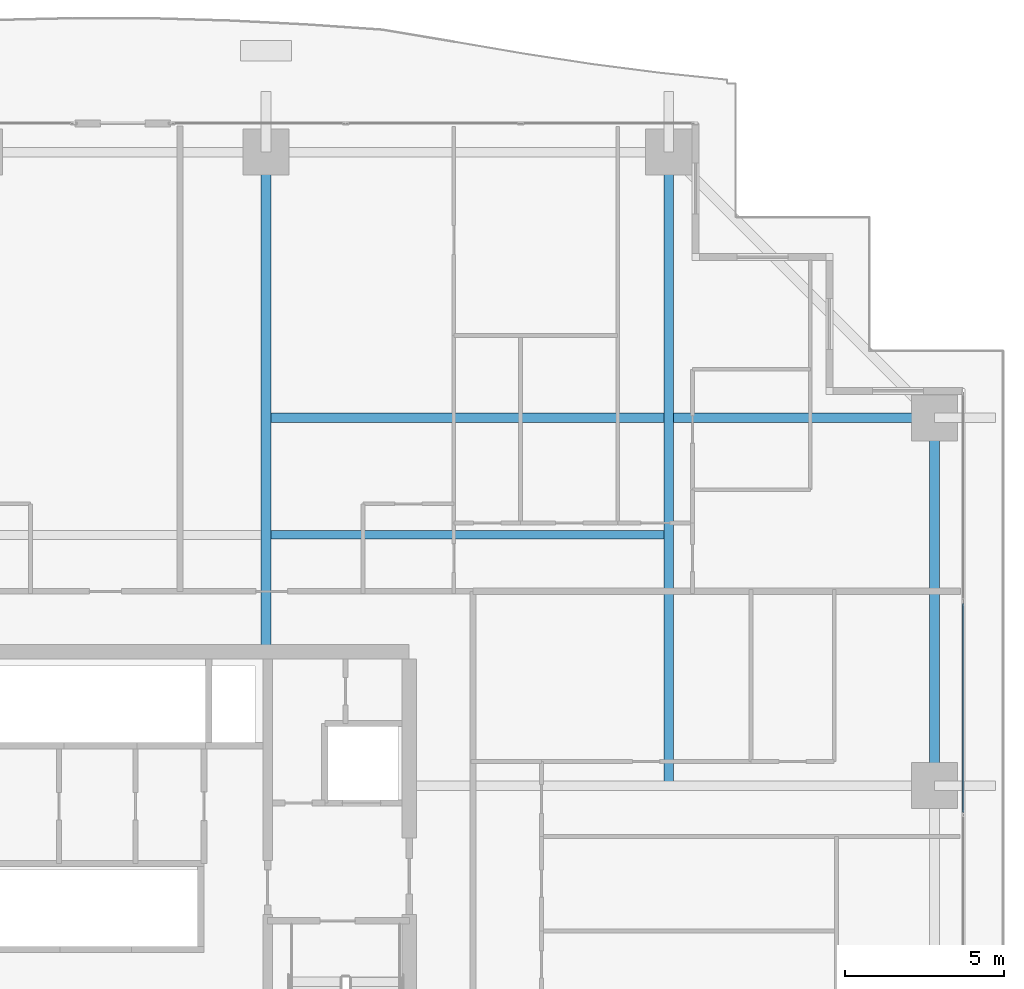
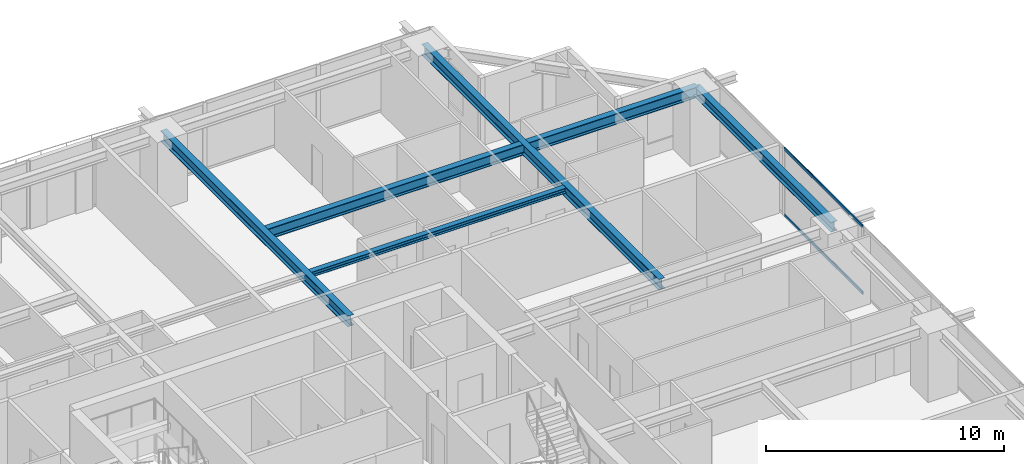
# One storey, part 19 of 36: 5 beams, 2 members, 1 element without a shape of its own.
"""IFC4 building model written with IfcOpenShell, lengths in metres."""

from ifc_helpers import new_model, si_unit, direction, frame, origin, origin_2d, place, context, subcontext, project, spatial, hollow_rectangle, i_section, extrude, source, transform, mapped, material, layer, layer_set, material_profile, profile_set, type_object, element, aggregate, save


model = new_model("IFC4")

# Units and contexts
model_context = context("Model", 3, precision=1e-05, world=origin(), true_north=direction((0.0, 1.0)))
body_context = subcontext(model_context, "Body", "Model", "MODEL_VIEW")
ifc_project = project(units=[si_unit("LENGTHUNIT", "METRE"), si_unit("AREAUNIT", "SQUARE_METRE"), si_unit("VOLUMEUNIT", "CUBIC_METRE"), si_unit("PLANEANGLEUNIT", "RADIAN"), si_unit("MASSUNIT", "GRAM", prefix="KILO")], contexts=[model_context])

# Site, building, storey
site_placement = place(None, origin())
site = spatial("IfcSite", under=ifc_project, at=site_placement, CompositionType="ELEMENT")
building_placement = place(site_placement, origin())
building = spatial("IfcBuilding", under=site, at=building_placement, Name="Serunith Strait Residences", CompositionType="ELEMENT")
storey_placement = place(building_placement, frame((0.0, 0.0, 41.699951171875)))
storey = spatial("IfcBuildingStorey", under=building, at=storey_placement, Name="L09", CompositionType="ELEMENT", Elevation=41.699951171875)

# Beams
ifc_material_1 = material(Name="Steel S355J2", Category="steel")
ifc_material_profile_1 = material_profile(ifc_material_1, i_section(OverallWidth=0.300048828125, OverallDepth=0.550048828125, WebThickness=0.014892578125, FlangeThickness=0.029052734375, FilletRadius=0.027099609375, at=origin_2d()), Name="HEB 550")
ifc_profile_set_1 = profile_set([ifc_material_profile_1], Name="Steel S355J2")
beam_type_1 = type_object("IfcBeamType", Name="BM-HEB550", PredefinedType="BEAM", material=ifc_profile_set_1)
shared_shape_1 = source(origin(), body_context, "Body", "SweptSolid", [
    extrude(i_section(OverallWidth=0.300048828125, OverallDepth=0.550048828125, WebThickness=0.014892578125, FlangeThickness=0.029052734375, FilletRadius=0.027099609375, at=origin_2d()), origin(), (0.0, 0.0, 1.0), 15.699951171875),
])
beam_1_placement = place(storey_placement, frame((36.89990234375, 33.60009765625, 3.212158203125), z_axis=(0.0, 1.0, 0.0), x_axis=(-1.0, 0.0, 0.0)))
element("IfcBeam", 1, at=beam_1_placement, inside=storey, type_object=beam_type_1, Name="L09 Primary Floor Girder TC-N3", PredefinedType="BEAM", context=body_context, shape_type="MappedRepresentation", body=[
    mapped(shared_shape_1, transform((0.0, 0.0, 0.0), scale=1.0)),
])
shared_shape_2 = source(origin(), body_context, "Body", "SweptSolid", [
    extrude(i_section(OverallWidth=0.300048828125, OverallDepth=0.550048828125, WebThickness=0.014892578125, FlangeThickness=0.029052734375, FilletRadius=0.027099609375, at=origin_2d()), origin(), (0.0, 0.0, 1.0), 19.900146484375),
])
beam_2_placement = place(storey_placement, frame((49.550048828125, 29.39990234375, 3.212158203125), z_axis=(0.0, 1.0, 0.0), x_axis=(-1.0, 0.0, 0.0)))
element("IfcBeam", 2, at=beam_2_placement, inside=storey, type_object=beam_type_1, Name="L09 Orthogonal Corner Girder TC-N4", PredefinedType="BEAM", context=body_context, shape_type="MappedRepresentation", body=[
    mapped(shared_shape_2, transform((0.0, 0.0, 0.0), scale=1.0)),
])
shared_shape_3 = source(origin(), body_context, "Body", "SweptSolid", [
    extrude(i_section(OverallWidth=0.300048828125, OverallDepth=0.550048828125, WebThickness=0.014892578125, FlangeThickness=0.029052734375, FilletRadius=0.027099609375, at=origin_2d()), origin(), (0.0, 0.0, 1.0), 21.0),
])
beam_3_placement = place(storey_placement, frame((36.89990234375, 40.949951171875, 3.212158203125), z_axis=(1.0, 0.0, 0.0), x_axis=(0.0, 1.0, 0.0)))
element("IfcBeam", 3, at=beam_3_placement, inside=storey, type_object=beam_type_1, Name="L09 Orthogonal Corner Girder TC-E4", PredefinedType="BEAM", context=body_context, shape_type="MappedRepresentation", body=[
    mapped(shared_shape_3, transform((0.0, 0.0, 0.0), scale=1.0)),
])
ifc_material_profile_2 = material_profile(ifc_material_1, i_section(OverallWidth=0.300048828125, OverallDepth=0.5, WebThickness=0.014404296875, FlangeThickness=0.028076171875, FilletRadius=0.027099609375, at=origin_2d()), Name="HEB 500")
ifc_profile_set_2 = profile_set([ifc_material_profile_2], Name="Steel S355J2")
beam_type_2 = type_object("IfcBeamType", Name="BM-HEB500", PredefinedType="BEAM", material=ifc_profile_set_2)
shared_shape_4 = source(origin(), body_context, "Body", "SweptSolid", [
    extrude(i_section(OverallWidth=0.300048828125, OverallDepth=0.5, WebThickness=0.014404296875, FlangeThickness=0.028076171875, FilletRadius=0.027099609375, at=origin_2d()), origin(), (0.0, 0.0, 1.0), 11.550048828125),
])
beam_4_placement = place(storey_placement, frame((57.89990234375, 29.39990234375, 3.237060546875), z_axis=(0.0, 1.0, 0.0), x_axis=(-1.0, 0.0, 0.0)))
element("IfcBeam", 4, at=beam_4_placement, inside=storey, type_object=beam_type_2, Name="L09 Perimeter Ring Beam 07", PredefinedType="BEAM", context=body_context, shape_type="MappedRepresentation", body=[
    mapped(shared_shape_4, transform((0.0, 0.0, 0.0), scale=1.0)),
])
ifc_material_profile_3 = material_profile(ifc_material_1, i_section(OverallWidth=0.260009765625, OverallDepth=0.260009765625, WebThickness=0.010009765625, FlangeThickness=0.017578125, FilletRadius=0.02392578125, at=origin_2d()), Name="HEB 260")
ifc_profile_set_3 = profile_set([ifc_material_profile_3], Name="Steel S355J2")
beam_type_3 = type_object("IfcBeamType", Name="BM-HEB260", PredefinedType="JOIST", material=ifc_profile_set_3)
shared_shape_5 = source(origin(), body_context, "Body", "SweptSolid", [
    extrude(i_section(OverallWidth=0.260009765625, OverallDepth=0.260009765625, WebThickness=0.010009765625, FlangeThickness=0.017578125, FilletRadius=0.02392578125, at=origin_2d()), origin(), (0.0, 0.0, 1.0), 12.349853515625),
])
beam_5_placement = place(storey_placement, frame((37.050048828125, 37.27490234375, 3.35693359375), z_axis=(1.0, 0.0, 0.0), x_axis=(0.0, 1.0, 0.0)))
element("IfcBeam", 5, at=beam_5_placement, inside=storey, type_object=beam_type_3, Name="L09 Composite Floor Joist 06", PredefinedType="JOIST", context=body_context, shape_type="MappedRepresentation", body=[
    mapped(shared_shape_5, transform((0.0, 0.0, 0.0), scale=1.0)),
])

# Curtain wall, members
ifc_material_2 = material(Name="Pale-Champagne Anodised Aluminium", Category="aluminium")
ifc_layer = layer(ifc_material_2, 0.199951171875, Name="Pale-Champagne Anodised Aluminium")
ifc_layer_set = layer_set([ifc_layer], Name="Pale-Champagne Anodised Aluminium")
curtain_wall_type = type_object("IfcCurtainWallType", Name="CW-SYS1", PredefinedType="NOTDEFINED", material=ifc_layer_set)
curtain_wall_placement = place(storey_placement, origin())
curtain_wall = element("IfcCurtainWall", 6, at=curtain_wall_placement, inside=storey, type_object=curtain_wall_type, Name="L09 E Unitised Fritted Curtain Wall", PredefinedType="NOTDEFINED")
ifc_material_profile_4 = material_profile(ifc_material_2, hollow_rectangle(XDim=0.06005859375, YDim=0.159912109375, WallThickness=0.00341796875, InnerFilletRadius=0.00537109375, OuterFilletRadius=0.0087890625, at=origin_2d()), Name="ALU 160x60x3.5")
ifc_profile_set_4 = profile_set([ifc_material_profile_4], Name="Pale-Champagne Anodised Aluminium")
member_type = type_object("IfcMemberType", Name="CW-SYS1-TRAN", PredefinedType="USERDEFINED", material=ifc_profile_set_4)
shared_shape_6 = source(origin(), body_context, "Body", "SweptSolid", [
    extrude(hollow_rectangle(XDim=0.06005859375, YDim=0.159912109375, WallThickness=0.00341796875, InnerFilletRadius=0.00537109375, OuterFilletRadius=0.0087890625, at=origin_2d()), origin(), (0.0, 0.0, 1.0), 6.570068359375),
])
member_1_placement = place(storey_placement, frame((58.800048828125, 28.554931640625, 0.030029296875), z_axis=(0.0, 1.0, 0.0), x_axis=(-1.0, 0.0, 0.0)))
member_1 = element("IfcMember", 7, at=member_1_placement, type_object=member_type, Name="CW-1 transom 4.1", ObjectType="TRANSOM", PredefinedType="USERDEFINED", context=body_context, shape_type="MappedRepresentation", body=[
    mapped(shared_shape_6, transform((0.0, 0.0, 0.0), scale=1.0)),
])
member_2_placement = place(storey_placement, frame((58.800048828125, 28.554931640625, 3.445068359375), z_axis=(0.0, 1.0, 0.0), x_axis=(-1.0, 0.0, 0.0)))
member_2 = element("IfcMember", 8, at=member_2_placement, type_object=member_type, Name="CW-1 transom 4.2", ObjectType="TRANSOM", PredefinedType="USERDEFINED", context=body_context, shape_type="MappedRepresentation", body=[
    mapped(shared_shape_6, transform((0.0, 0.0, 0.0), scale=1.0)),
])
aggregate(curtain_wall, [member_1, member_2])

save(model, "model.ifc")
